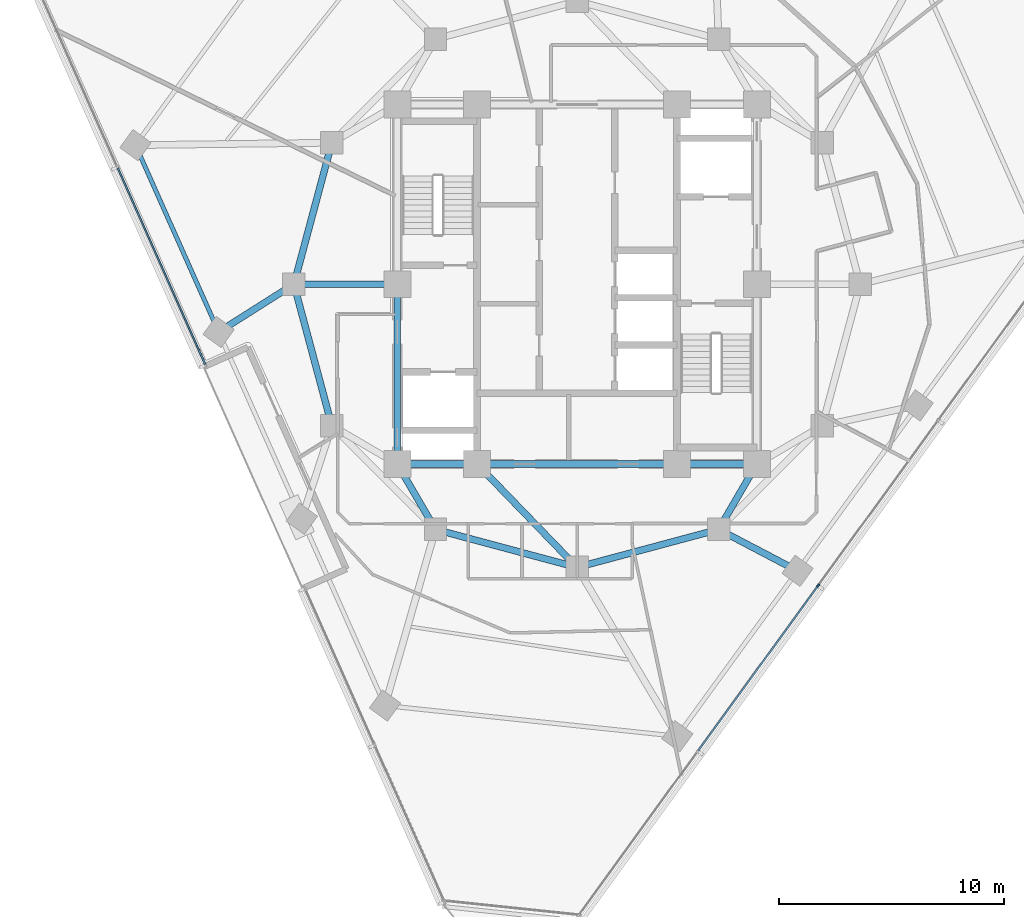
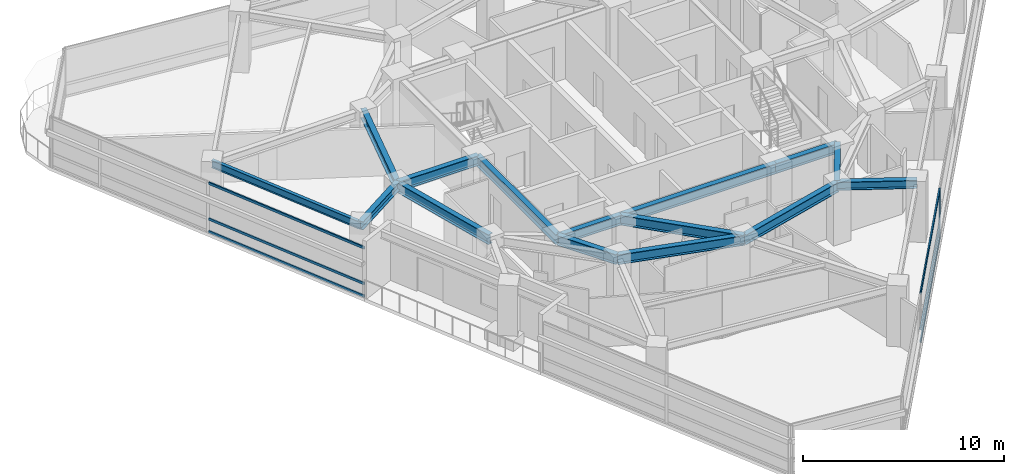
# One storey, part 3 of 14: 15 beams, 7 members, 2 elements without a shape of their own.
"""IFC4 building model written with IfcOpenShell, lengths in metres."""

from ifc_helpers import new_model, si_unit, direction, frame, origin, origin_2d, place, context, subcontext, project, spatial, rectangle, i_section, extrude, material, layer, layer_set, material_profile, profile_set, type_object, element, aggregate, save


model = new_model("IFC4")

# Units and contexts
model_context = context("Model", 3, precision=1e-05, world=origin(), true_north=direction((0.0, 1.0)))
body_context = subcontext(model_context, "Body", "Model", "MODEL_VIEW")
ifc_project = project(units=[si_unit("LENGTHUNIT", "METRE"), si_unit("AREAUNIT", "SQUARE_METRE"), si_unit("VOLUMEUNIT", "CUBIC_METRE"), si_unit("PLANEANGLEUNIT", "RADIAN"), si_unit("MASSUNIT", "GRAM", prefix="KILO")], contexts=[model_context])

# Site, building, storey
site_placement = place(None, origin())
site = spatial("IfcSite", under=ifc_project, at=site_placement, CompositionType="ELEMENT")
building_placement = place(site_placement, origin())
building = spatial("IfcBuilding", under=site, at=building_placement, Name="Terralouvre Media Tower", CompositionType="ELEMENT")
storey_placement = place(building_placement, frame((0.0, 0.0, 226.300048828125)))
storey = spatial("IfcBuildingStorey", under=building, at=storey_placement, Name="L58", CompositionType="ELEMENT", Elevation=226.300048828125)

# Curtain wall, members
ifc_material_1 = material(Name="Low-iron laminated double glazing with solar-control coating", Category="glass")
ifc_layer = layer(ifc_material_1, 0.1650390625, Name="Upper Executive Tower Curtain Wall CW-05")
ifc_layer_set = layer_set([ifc_layer], Name="Low-iron laminated double glazing with solar-control coating")
curtain_wall_type = type_object("IfcCurtainWallType", Name="Upper Executive Tower Curtain Wall CW-05", PredefinedType="NOTDEFINED", material=ifc_layer_set)
curtain_wall_1_placement = place(storey_placement, origin())
curtain_wall_1 = element("IfcCurtainWall", 1, at=curtain_wall_1_placement, inside=storey, type_object=curtain_wall_type, Name="L58 Facade Curtain Wall F0", PredefinedType="NOTDEFINED")
ifc_material_2 = material(Name="Anodised extruded aluminium 6063-T6", Category="aluminium")
ifc_material_profile_1 = material_profile(ifc_material_2, rectangle(XDim=0.074951171875, YDim=0.14990234375, at=origin_2d()), Name="ALU 75x150")
ifc_profile_set_1 = profile_set([ifc_material_profile_1], Name="Anodised extruded aluminium 6063-T6")
member_type_1 = type_object("IfcMemberType", Name="Curtain-Wall Horizontal Transom TR-150", PredefinedType="USERDEFINED", material=ifc_profile_set_1)
member_1_placement = place(storey_placement, frame((5.39990234375, -20.749267578125, 0.037353515625), z_axis=(0.587772727709, 0.809026093869, 0.0), x_axis=(-0.809026093869, 0.587772727709, 0.0)))
member_1 = element("IfcMember", 2, at=member_1_placement, type_object=member_type_1, Name="CW-05 transom 2.1", ObjectType="TRANSOM", PredefinedType="USERDEFINED", context=body_context, shape_type="SweptSolid", body=[
    extrude(rectangle(XDim=0.074951171875, YDim=0.14990234375, at=origin_2d()), origin(), (0.0, 0.0, 1.0), 9.025146484375),
])
member_2_placement = place(storey_placement, frame((5.39990234375, -20.749267578125, 0.800048828125), z_axis=(0.587772727709, 0.809026093869, 0.0), x_axis=(-0.809026093869, 0.587772727709, 0.0)))
member_2 = element("IfcMember", 3, at=member_2_placement, type_object=member_type_1, Name="CW-05 transom 2.2", ObjectType="TRANSOM", PredefinedType="USERDEFINED", context=body_context, shape_type="SweptSolid", body=[
    extrude(rectangle(XDim=0.074951171875, YDim=0.14990234375, at=origin_2d()), origin(), (0.0, 0.0, 1.0), 9.025146484375),
])
member_3_placement = place(storey_placement, frame((5.39990234375, -20.749267578125, 2.96240234375), z_axis=(0.587772727709, 0.809026093869, 0.0), x_axis=(-0.809026093869, 0.587772727709, 0.0)))
member_3 = element("IfcMember", 4, at=member_3_placement, type_object=member_type_1, Name="CW-05 transom 2.3", ObjectType="TRANSOM", PredefinedType="USERDEFINED", context=body_context, shape_type="SweptSolid", body=[
    extrude(rectangle(XDim=0.074951171875, YDim=0.14990234375, at=origin_2d()), origin(), (0.0, 0.0, 1.0), 9.025146484375),
])

curtain_wall_2_placement = place(storey_placement, origin())
curtain_wall_2 = element("IfcCurtainWall", 5, at=curtain_wall_2_placement, inside=storey, type_object=curtain_wall_type, Name="L58 Left Flank Curtain Wall F2", PredefinedType="NOTDEFINED")
member_4_placement = place(storey_placement, frame((-20.435546875, 5.1728515625, 0.037353515625), z_axis=(0.406732960809, -0.913547097085, 0.0), x_axis=(0.913547097085, 0.406732960809, 0.0)))
member_4 = element("IfcMember", 6, at=member_4_placement, type_object=member_type_1, Name="CW-05 transom 2.1", ObjectType="TRANSOM", PredefinedType="USERDEFINED", context=body_context, shape_type="SweptSolid", body=[
    extrude(rectangle(XDim=0.074951171875, YDim=0.14990234375, at=origin_2d()), origin(), (0.0, 0.0, 1.0), 9.5625),
])
member_5_placement = place(storey_placement, frame((-20.435546875, 5.1728515625, 0.800048828125), z_axis=(0.406732960809, -0.913547097085, 0.0), x_axis=(0.913547097085, 0.406732960809, 0.0)))
member_5 = element("IfcMember", 7, at=member_5_placement, type_object=member_type_1, Name="CW-05 transom 2.2", ObjectType="TRANSOM", PredefinedType="USERDEFINED", context=body_context, shape_type="SweptSolid", body=[
    extrude(rectangle(XDim=0.074951171875, YDim=0.14990234375, at=origin_2d()), origin(), (0.0, 0.0, 1.0), 9.5625),
])
member_6_placement = place(storey_placement, frame((-20.435546875, 5.1728515625, 2.96240234375), z_axis=(0.406732960809, -0.913547097085, 0.0), x_axis=(0.913547097085, 0.406732960809, 0.0)))
member_6 = element("IfcMember", 8, at=member_6_placement, type_object=member_type_1, Name="CW-05 transom 2.3", ObjectType="TRANSOM", PredefinedType="USERDEFINED", context=body_context, shape_type="SweptSolid", body=[
    extrude(rectangle(XDim=0.074951171875, YDim=0.14990234375, at=origin_2d()), origin(), (0.0, 0.0, 1.0), 9.5625),
])
aggregate(curtain_wall_2, [member_4, member_5, member_6])

# Member
ifc_material_3 = material(Name="Anodised extruded aluminium 6063-T6", Category="aluminium")
ifc_material_profile_2 = material_profile(ifc_material_3, rectangle(XDim=0.074951171875, YDim=0.179931640625, at=origin_2d()), Name="ALU 75x180")
ifc_profile_set_2 = profile_set([ifc_material_profile_2], Name="Anodised extruded aluminium 6063-T6")
member_type_2 = type_object("IfcMemberType", Name="Curtain-Wall Vertical Mullion ML-180", PredefinedType="MULLION", material=ifc_profile_set_2)
member_7_placement = place(storey_placement, frame((10.726806640625, -13.41748046875, 0.0), z_axis=(0.0, 0.0, 1.0), x_axis=(-0.809016959074, 0.587785300879, 0.0)))
member_7 = element("IfcMember", 9, at=member_7_placement, type_object=member_type_2, Name="CW-05 mullion 3", PredefinedType="MULLION", context=body_context, shape_type="SweptSolid", body=[
    extrude(rectangle(XDim=0.074951171875, YDim=0.179931640625, at=origin_2d()), origin(), (0.0, 0.0, 1.0), 3.0),
])

aggregate(curtain_wall_1, [member_7, member_1, member_2, member_3])

# Beams
ifc_material_4 = material(Name="Structural steel S355J2", Category="steel")
ifc_material_profile_3 = material_profile(ifc_material_4, i_section(OverallWidth=0.18994140625, OverallDepth=0.449951171875, WebThickness=0.009521484375, FlangeThickness=0.0146484375, at=origin_2d()), Name="IPE 450")
ifc_profile_set_3 = profile_set([ifc_material_profile_3], Name="Structural steel S355J2")
beam_type_1 = type_object("IfcBeamType", Name="Perimeter Spandrel Beam SPB-450 (IPE 450)", PredefinedType="SPANDREL", material=ifc_profile_set_3)
beam_1_placement = place(storey_placement, frame((-19.65234375, 6.192138671875, 3.27490234375), z_axis=(0.406738273219, -0.913544731854, 0.0), x_axis=(0.913544731854, 0.406738273219, 0.0)))
element("IfcBeam", 10, at=beam_1_placement, inside=storey, type_object=beam_type_1, Name="L58 Framing Beam BM-L58-PR12", PredefinedType="SPANDREL", context=body_context, shape_type="SweptSolid", body=[
    extrude(i_section(OverallWidth=0.18994140625, OverallDepth=0.449951171875, WebThickness=0.009521484375, FlangeThickness=0.0146484375, at=origin_2d()), origin(), (0.0, 0.0, 1.0), 9.100341796875),
])
ifc_material_5 = material(Name="Structural steel S355J2", Category="steel")
ifc_material_profile_4 = material_profile(ifc_material_5, i_section(OverallWidth=0.300048828125, OverallDepth=0.5, WebThickness=0.014404296875, FlangeThickness=0.028076171875, at=origin_2d()), Name="HEB 500")
ifc_profile_set_4 = profile_set([ifc_material_profile_4], Name="Structural steel S355J2")
beam_type_2 = type_object("IfcBeamType", Name="Primary Floor Girder B-HEB500 (HEB 500)", PredefinedType="BEAM", material=ifc_profile_set_4)
for number, where, z_axis, x_axis, name in (
    (11, (-12.60009765625, 0.0, 3.25), (-0.844916454891, -0.534898293373, 0.0), (0.534898293373, -0.844916454891, 0.0), "L58 Framing Beam BM-L58-RD01"),
    (12, (6.300048828125, -10.911865234375, 3.25), (0.885655556229, -0.464342799794, 0.0), (0.464342799794, 0.885655556229, 0.0), "L58 Framing Beam BM-L58-RD05"),
):
    element("IfcBeam", number, at=place(storey_placement, frame(where, z_axis=z_axis, x_axis=x_axis)), inside=storey, type_object=beam_type_2, Name=name, PredefinedType="BEAM", context=body_context, shape_type="SweptSolid", body=[
        extrude(i_section(OverallWidth=0.300048828125, OverallDepth=0.5, WebThickness=0.014404296875, FlangeThickness=0.028076171875, at=origin_2d()), origin(), (0.0, 0.0, 1.0), 3.9658203125),
    ])
ifc_material_6 = material(Name="Structural steel S460M", Category="steel")
ifc_material_profile_5 = material_profile(ifc_material_6, i_section(OverallWidth=0.300048828125, OverallDepth=0.60009765625, WebThickness=0.015380859375, FlangeThickness=0.030029296875, at=origin_2d()), Name="HEB 600")
ifc_profile_set_5 = profile_set([ifc_material_profile_5], Name="Structural steel S460M")
beam_type_3 = type_object("IfcBeamType", Name="Primary Floor Girder B-HEB600 (HEB 600)", PredefinedType="BEAM", material=ifc_profile_set_5)
beam_2_placement = place(storey_placement, frame((-8.0, -8.0, 3.199951171875), z_axis=(1.0, 0.0, 0.0), x_axis=(0.0, 1.0, 0.0)))
element("IfcBeam", 13, at=beam_2_placement, inside=storey, type_object=beam_type_3, Name="L58 Framing Beam BM-L58-CPR01", PredefinedType="BEAM", context=body_context, shape_type="SweptSolid", body=[
    extrude(i_section(OverallWidth=0.300048828125, OverallDepth=0.60009765625, WebThickness=0.015380859375, FlangeThickness=0.030029296875, at=origin_2d()), origin(), (0.0, 0.0, 1.0), 3.550048828125),
])
beam_3_placement = place(storey_placement, frame((-4.449951171875, -8.0, 3.199951171875), z_axis=(1.0, 0.0, 0.0), x_axis=(0.0, 1.0, 0.0)))
element("IfcBeam", 14, at=beam_3_placement, inside=storey, type_object=beam_type_3, Name="L58 Framing Beam BM-L58-CPR02", PredefinedType="BEAM", context=body_context, shape_type="SweptSolid", body=[
    extrude(i_section(OverallWidth=0.300048828125, OverallDepth=0.60009765625, WebThickness=0.015380859375, FlangeThickness=0.030029296875, at=origin_2d()), origin(), (0.0, 0.0, 1.0), 8.89990234375),
])
beam_4_placement = place(storey_placement, frame((4.449951171875, -8.0, 3.199951171875), z_axis=(1.0, 0.0, 0.0), x_axis=(0.0, 1.0, 0.0)))
element("IfcBeam", 15, at=beam_4_placement, inside=storey, type_object=beam_type_3, Name="L58 Framing Beam BM-L58-CPR03", PredefinedType="BEAM", context=body_context, shape_type="SweptSolid", body=[
    extrude(i_section(OverallWidth=0.300048828125, OverallDepth=0.60009765625, WebThickness=0.015380859375, FlangeThickness=0.030029296875, at=origin_2d()), origin(), (0.0, 0.0, 1.0), 3.550048828125),
])
beam_5_placement = place(storey_placement, frame((-8.0, 0.0, 3.199951171875), z_axis=(0.0, -1.0, 0.0), x_axis=(1.0, 0.0, 0.0)))
element("IfcBeam", 16, at=beam_5_placement, inside=storey, type_object=beam_type_3, Name="L58 Framing Beam BM-L58-CPR10", PredefinedType="BEAM", context=body_context, shape_type="SweptSolid", body=[
    extrude(i_section(OverallWidth=0.300048828125, OverallDepth=0.60009765625, WebThickness=0.015380859375, FlangeThickness=0.030029296875, at=origin_2d()), origin(), (0.0, 0.0, 1.0), 8.0),
])
for number, where, z_axis, x_axis, name in (
    (17, (-6.300048828125, -10.911865234375, 3.199951171875), (0.965920481897, -0.258838989821, 0.0), (0.258838989821, 0.965920481897, 0.0), "L58 Framing Beam BM-L58-MR02"),
    (18, (0.0, -12.60009765625, 3.199951171875), (0.965920481897, 0.258838989821, 0.0), (-0.258838989821, 0.965920481897, 0.0), "L58 Framing Beam BM-L58-MR03"),
    (19, (-10.911865234375, 6.300048828125, 3.199951171875), (-0.258838989821, -0.965920481897, 0.0), (0.965920481897, -0.258838989821, 0.0), "L58 Framing Beam BM-L58-MR11"),
    (20, (-12.60009765625, 0.0, 3.199951171875), (0.258838989821, -0.965920481897, 0.0), (0.965920481897, 0.258838989821, 0.0), "L58 Framing Beam BM-L58-MR12"),
):
    element("IfcBeam", number, at=place(storey_placement, frame(where, z_axis=z_axis, x_axis=x_axis)), inside=storey, type_object=beam_type_3, Name=name, PredefinedType="BEAM", context=body_context, shape_type="SweptSolid", body=[
        extrude(i_section(OverallWidth=0.300048828125, OverallDepth=0.60009765625, WebThickness=0.015380859375, FlangeThickness=0.030029296875, at=origin_2d()), origin(), (0.0, 0.0, 1.0), 6.522216796875),
    ])
beam_6_placement = place(storey_placement, frame((-8.0, -8.0, 3.199951171875), z_axis=(0.504172629717, -0.863602894532, 0.0), x_axis=(0.863602894532, 0.504172629717, 0.0)))
element("IfcBeam", 21, at=beam_6_placement, inside=storey, type_object=beam_type_3, Name="L58 Framing Beam BM-L58-CM02", PredefinedType="BEAM", context=body_context, shape_type="SweptSolid", body=[
    extrude(i_section(OverallWidth=0.300048828125, OverallDepth=0.60009765625, WebThickness=0.015380859375, FlangeThickness=0.030029296875, at=origin_2d()), origin(), (0.0, 0.0, 1.0), 3.371826171875),
])
beam_7_placement = place(storey_placement, frame((-4.449951171875, -8.0, 3.199951171875), z_axis=(0.695279715726, -0.718739255155, 0.0), x_axis=(0.718739255155, 0.695279715726, 0.0)))
element("IfcBeam", 22, at=beam_7_placement, inside=storey, type_object=beam_type_3, Name="L58 Framing Beam BM-L58-CM03", PredefinedType="BEAM", context=body_context, shape_type="SweptSolid", body=[
    extrude(i_section(OverallWidth=0.300048828125, OverallDepth=0.60009765625, WebThickness=0.015380859375, FlangeThickness=0.030029296875, at=origin_2d()), origin(), (0.0, 0.0, 1.0), 6.400146484375),
])
beam_8_placement = place(storey_placement, frame((8.0, -8.0, 3.199951171875), z_axis=(-0.504172629717, -0.863602894532, 0.0), x_axis=(0.863602894532, -0.504172629717, 0.0)))
element("IfcBeam", 23, at=beam_8_placement, inside=storey, type_object=beam_type_3, Name="L58 Framing Beam BM-L58-CM04", PredefinedType="BEAM", context=body_context, shape_type="SweptSolid", body=[
    extrude(i_section(OverallWidth=0.300048828125, OverallDepth=0.60009765625, WebThickness=0.015380859375, FlangeThickness=0.030029296875, at=origin_2d()), origin(), (0.0, 0.0, 1.0), 3.371826171875),
])
beam_9_placement = place(storey_placement, frame((-8.0, 0.0, 3.199951171875), z_axis=(-1.0, 0.0, 0.0), x_axis=(0.0, -1.0, 0.0)))
element("IfcBeam", 24, at=beam_9_placement, inside=storey, type_object=beam_type_3, Name="L58 Framing Beam BM-L58-CM12", PredefinedType="BEAM", context=body_context, shape_type="SweptSolid", body=[
    extrude(i_section(OverallWidth=0.300048828125, OverallDepth=0.60009765625, WebThickness=0.015380859375, FlangeThickness=0.030029296875, at=origin_2d()), origin(), (0.0, 0.0, 1.0), 4.60009765625),
])

save(model, "model.ifc")
